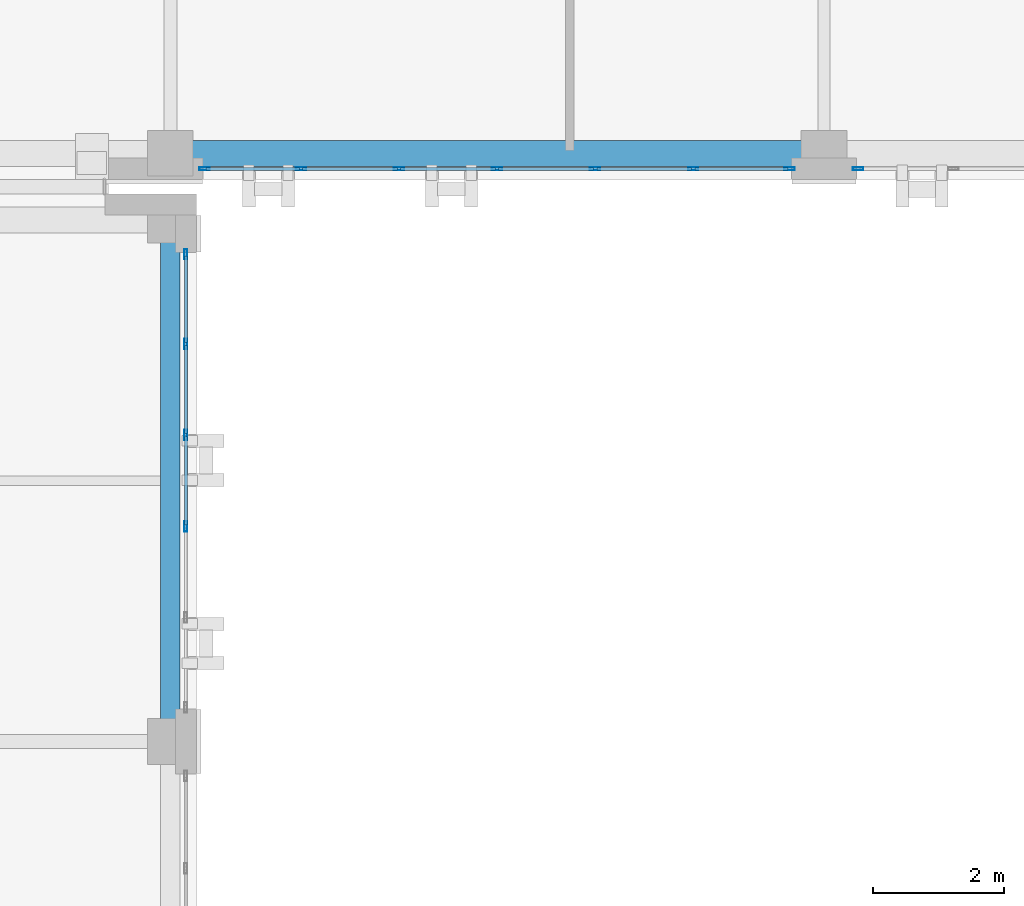
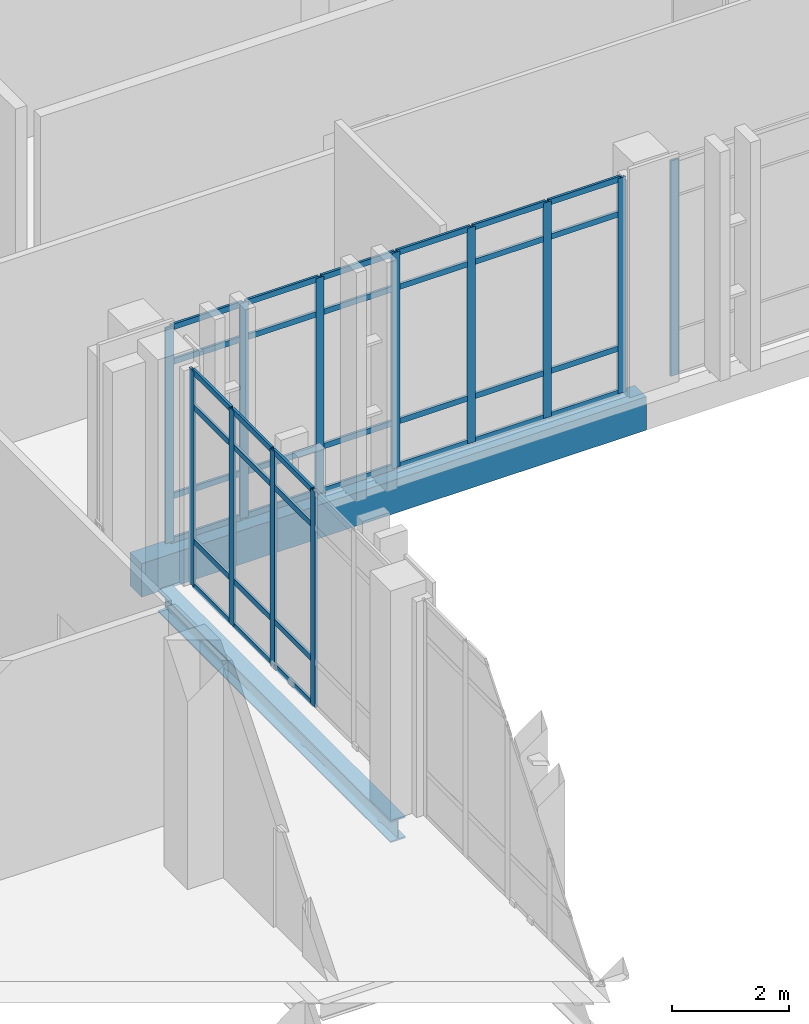
# One storey, part 81 of 189: 48 members, 2 beams, 3 elements without a shape of their own.
"""IFC4 building model written with IfcOpenShell, lengths in metres."""

from ifc_helpers import new_model, si_unit, direction, frame, origin, origin_2d, place, context, subcontext, project, spatial, rectangle, hollow_rectangle, i_section, extrude, material, layer, layer_set, material_profile, profile_set, type_object, element, aggregate, save


model = new_model("IFC4")

# Units and contexts
model_context = context("Model", 3, precision=1e-05, world=origin(), true_north=direction((0.0, 1.0)))
body_context = subcontext(model_context, "Body", "Model", "MODEL_VIEW")
ifc_project = project(units=[si_unit("LENGTHUNIT", "METRE"), si_unit("AREAUNIT", "SQUARE_METRE"), si_unit("VOLUMEUNIT", "CUBIC_METRE"), si_unit("PLANEANGLEUNIT", "RADIAN"), si_unit("MASSUNIT", "GRAM", prefix="KILO")], contexts=[model_context])

# Site, building, storey
site_placement = place(None, origin())
site = spatial("IfcSite", under=ifc_project, at=site_placement, CompositionType="ELEMENT")
building_placement = place(site_placement, origin())
building = spatial("IfcBuilding", under=site, at=building_placement, Name="Qalavern Law Courts", CompositionType="ELEMENT")
storey_placement = place(building_placement, frame((0.0, 0.0, 5.39990234375)))
storey = spatial("IfcBuildingStorey", under=building, at=storey_placement, Name="L01", CompositionType="ELEMENT", Elevation=5.39990234375)

# Curtain wall, members
ifc_material_1 = material(Name="Anodised aluminium and insulated glazing", Category="aluminium")
ifc_layer_1 = layer(ifc_material_1, 0.172119140625)
ifc_layer_set_1 = layer_set([ifc_layer_1], Name="Anodised aluminium and insulated glazing")
curtain_wall_type_1 = type_object("IfcCurtainWallType", Name="ENV-CW-COURT", PredefinedType="USERDEFINED", material=ifc_layer_set_1)
curtain_wall_1_placement = place(storey_placement, origin())
curtain_wall_1 = element("IfcCurtainWall", 1, at=curtain_wall_1_placement, inside=storey, type_object=curtain_wall_type_1, Name="V3 unitised curtain wall L01 east 7", ObjectType="UNITISED CURTAIN WALL", PredefinedType="USERDEFINED")
ifc_material_2 = material(Name="Anodised aluminium", Category="aluminium")
ifc_material_profile_1 = material_profile(ifc_material_2, hollow_rectangle(XDim=0.048095703125, YDim=0.159912109375, WallThickness=0.00390625, at=origin_2d()), Name="ALU MULLION 48x160")
ifc_profile_set_1 = profile_set([ifc_material_profile_1], Name="Anodised aluminium")
member_type_1 = type_object("IfcMemberType", Name="ENV-CWM-48x160", PredefinedType="MULLION", material=ifc_profile_set_1)
member_1_placement = place(storey_placement, frame((18.637451171875, 90.89208984375, 0.0), z_axis=(0.0, 0.0, 1.0), x_axis=(-1.0, 0.0, 0.0)))
member_1 = element("IfcMember", 2, at=member_1_placement, type_object=member_type_1, Name="CW-03 mullion 3", PredefinedType="MULLION", context=body_context, shape_type="SweptSolid", body=[
    extrude(hollow_rectangle(XDim=0.048095703125, YDim=0.159912109375, WallThickness=0.00390625, at=origin_2d()), origin(), (0.0, 0.0, 1.0), 4.510009765625),
])
member_2_placement = place(storey_placement, frame((18.637451171875, 92.2880859375, 0.0), z_axis=(0.0, 0.0, 1.0), x_axis=(-1.0, 0.0, 0.0)))
member_2 = element("IfcMember", 3, at=member_2_placement, type_object=member_type_1, Name="CW-03 mullion 4", PredefinedType="MULLION", context=body_context, shape_type="SweptSolid", body=[
    extrude(hollow_rectangle(XDim=0.048095703125, YDim=0.159912109375, WallThickness=0.00390625, at=origin_2d()), origin(), (0.0, 0.0, 1.0), 4.510009765625),
])
member_3_placement = place(storey_placement, frame((18.637451171875, 93.68408203125, 0.0), z_axis=(0.0, 0.0, 1.0), x_axis=(-1.0, 0.0, 0.0)))
member_3 = element("IfcMember", 4, at=member_3_placement, type_object=member_type_1, Name="CW-03 mullion 5", PredefinedType="MULLION", context=body_context, shape_type="SweptSolid", body=[
    extrude(hollow_rectangle(XDim=0.048095703125, YDim=0.159912109375, WallThickness=0.00390625, at=origin_2d()), origin(), (0.0, 0.0, 1.0), 4.510009765625),
])
member_4_placement = place(storey_placement, frame((18.637451171875, 95.055908203125, 0.0), z_axis=(0.0, 0.0, 1.0), x_axis=(-1.0, 0.0, 0.0)))
member_4 = element("IfcMember", 5, at=member_4_placement, type_object=member_type_1, Name="CW-03 mullion 6", PredefinedType="MULLION", context=body_context, shape_type="SweptSolid", body=[
    extrude(hollow_rectangle(XDim=0.048095703125, YDim=0.159912109375, WallThickness=0.00390625, at=origin_2d()), origin(), (0.0, 0.0, 1.0), 4.510009765625),
])

ifc_layer_2 = layer(ifc_material_1, 0.166015625)
ifc_layer_set_2 = layer_set([ifc_layer_2], Name="Anodised aluminium and insulated glazing")
curtain_wall_type_2 = type_object("IfcCurtainWallType", Name="ENV-CW-LIB", PredefinedType="USERDEFINED", material=ifc_layer_set_2)
curtain_wall_2_placement = place(storey_placement, origin())
curtain_wall_2 = element("IfcCurtainWall", 6, at=curtain_wall_2_placement, inside=storey, type_object=curtain_wall_type_2, Name="V5 unitised curtain wall L01 south 1", ObjectType="UNITISED CURTAIN WALL", PredefinedType="USERDEFINED")
member_5_placement = place(storey_placement, frame((18.924072265625, 96.362548828125, 0.0), z_axis=(0.0, 0.0, 1.0), x_axis=(0.0, 1.0, 0.0)))
member_5 = element("IfcMember", 7, at=member_5_placement, type_object=member_type_1, Name="CW-05 mullion 1", PredefinedType="MULLION", context=body_context, shape_type="SweptSolid", body=[
    extrude(hollow_rectangle(XDim=0.048095703125, YDim=0.159912109375, WallThickness=0.00390625, at=origin_2d()), origin(), (0.0, 0.0, 1.0), 4.510009765625),
])
member_6_placement = place(storey_placement, frame((20.39990234375, 96.362548828125, 0.0), z_axis=(0.0, 0.0, 1.0), x_axis=(0.0, 1.0, 0.0)))
member_6 = element("IfcMember", 8, at=member_6_placement, type_object=member_type_1, Name="CW-05 mullion 2", PredefinedType="MULLION", context=body_context, shape_type="SweptSolid", body=[
    extrude(hollow_rectangle(XDim=0.048095703125, YDim=0.159912109375, WallThickness=0.00390625, at=origin_2d()), origin(), (0.0, 0.0, 1.0), 4.510009765625),
])
member_7_placement = place(storey_placement, frame((21.89990234375, 96.362548828125, 0.0), z_axis=(0.0, 0.0, 1.0), x_axis=(0.0, 1.0, 0.0)))
member_7 = element("IfcMember", 9, at=member_7_placement, type_object=member_type_1, Name="CW-05 mullion 3", PredefinedType="MULLION", context=body_context, shape_type="SweptSolid", body=[
    extrude(hollow_rectangle(XDim=0.048095703125, YDim=0.159912109375, WallThickness=0.00390625, at=origin_2d()), origin(), (0.0, 0.0, 1.0), 4.510009765625),
])
member_8_placement = place(storey_placement, frame((23.39990234375, 96.362548828125, 0.0), z_axis=(0.0, 0.0, 1.0), x_axis=(0.0, 1.0, 0.0)))
member_8 = element("IfcMember", 10, at=member_8_placement, type_object=member_type_1, Name="CW-05 mullion 4", PredefinedType="MULLION", context=body_context, shape_type="SweptSolid", body=[
    extrude(hollow_rectangle(XDim=0.048095703125, YDim=0.159912109375, WallThickness=0.00390625, at=origin_2d()), origin(), (0.0, 0.0, 1.0), 4.510009765625),
])
member_9_placement = place(storey_placement, frame((24.89990234375, 96.362548828125, 0.0), z_axis=(0.0, 0.0, 1.0), x_axis=(0.0, 1.0, 0.0)))
member_9 = element("IfcMember", 11, at=member_9_placement, type_object=member_type_1, Name="CW-05 mullion 5", PredefinedType="MULLION", context=body_context, shape_type="SweptSolid", body=[
    extrude(hollow_rectangle(XDim=0.048095703125, YDim=0.159912109375, WallThickness=0.00390625, at=origin_2d()), origin(), (0.0, 0.0, 1.0), 4.510009765625),
])
member_10_placement = place(storey_placement, frame((26.39990234375, 96.362548828125, 0.0), z_axis=(0.0, 0.0, 1.0), x_axis=(0.0, 1.0, 0.0)))
member_10 = element("IfcMember", 12, at=member_10_placement, type_object=member_type_1, Name="CW-05 mullion 6", PredefinedType="MULLION", context=body_context, shape_type="SweptSolid", body=[
    extrude(hollow_rectangle(XDim=0.048095703125, YDim=0.159912109375, WallThickness=0.00390625, at=origin_2d()), origin(), (0.0, 0.0, 1.0), 4.510009765625),
])
member_11_placement = place(storey_placement, frame((27.8759765625, 96.362548828125, 0.0), z_axis=(0.0, 0.0, 1.0), x_axis=(0.0, 1.0, 0.0)))
member_11 = element("IfcMember", 13, at=member_11_placement, type_object=member_type_1, Name="CW-05 mullion 7", PredefinedType="MULLION", context=body_context, shape_type="SweptSolid", body=[
    extrude(hollow_rectangle(XDim=0.048095703125, YDim=0.159912109375, WallThickness=0.00390625, at=origin_2d()), origin(), (0.0, 0.0, 1.0), 4.510009765625),
])

# Curtain wall, member
curtain_wall_3_placement = place(storey_placement, origin())
curtain_wall_3 = element("IfcCurtainWall", 14, at=curtain_wall_3_placement, inside=storey, type_object=curtain_wall_type_2, Name="V5 unitised curtain wall L01 south 2", ObjectType="UNITISED CURTAIN WALL", PredefinedType="USERDEFINED")
member_12_placement = place(storey_placement, frame((28.924072265625, 96.362548828125, 0.0), z_axis=(0.0, 0.0, 1.0), x_axis=(0.0, 1.0, 0.0)))
member_12 = element("IfcMember", 15, at=member_12_placement, type_object=member_type_1, Name="CW-05 mullion 1", PredefinedType="MULLION", context=body_context, shape_type="SweptSolid", body=[
    extrude(hollow_rectangle(XDim=0.048095703125, YDim=0.159912109375, WallThickness=0.00390625, at=origin_2d()), origin(), (0.0, 0.0, 1.0), 4.510009765625),
])
aggregate(curtain_wall_3, [member_12])

# Member
ifc_material_profile_2 = material_profile(ifc_material_2, hollow_rectangle(XDim=0.048095703125, YDim=0.1201171875, WallThickness=0.00390625, at=origin_2d()), Name="ALU TRANSOM 48x120")
ifc_profile_set_2 = profile_set([ifc_material_profile_2], Name="Anodised aluminium")
member_type_2 = type_object("IfcMemberType", Name="ENV-CWT-48x120", PredefinedType="USERDEFINED", material=ifc_profile_set_2)
member_13_placement = place(storey_placement, frame((18.637451171875, 90.916015625, 0.024169921875), z_axis=(0.0, 1.0, 0.0), x_axis=(-1.0, 0.0, 0.0)))
member_13 = element("IfcMember", 16, at=member_13_placement, type_object=member_type_2, Name="CW-03 transom 3.1", ObjectType="TRANSOM", PredefinedType="USERDEFINED", context=body_context, shape_type="SweptSolid", body=[
    extrude(hollow_rectangle(XDim=0.048095703125, YDim=0.1201171875, WallThickness=0.00390625, at=origin_2d()), origin(), (0.0, 0.0, 1.0), 1.347900390625),
])

member_14_placement = place(storey_placement, frame((18.637451171875, 90.916015625, 0.9501953125), z_axis=(0.0, 1.0, 0.0), x_axis=(-1.0, 0.0, 0.0)))
member_14 = element("IfcMember", 17, at=member_14_placement, type_object=member_type_2, Name="CW-03 transom 3.2", ObjectType="TRANSOM", PredefinedType="USERDEFINED", context=body_context, shape_type="SweptSolid", body=[
    extrude(hollow_rectangle(XDim=0.048095703125, YDim=0.1201171875, WallThickness=0.00390625, at=origin_2d()), origin(), (0.0, 0.0, 1.0), 1.347900390625),
])

member_15_placement = place(storey_placement, frame((18.637451171875, 90.916015625, 3.760009765625), z_axis=(0.0, 1.0, 0.0), x_axis=(-1.0, 0.0, 0.0)))
member_15 = element("IfcMember", 18, at=member_15_placement, type_object=member_type_2, Name="CW-03 transom 3.3", ObjectType="TRANSOM", PredefinedType="USERDEFINED", context=body_context, shape_type="SweptSolid", body=[
    extrude(hollow_rectangle(XDim=0.048095703125, YDim=0.1201171875, WallThickness=0.00390625, at=origin_2d()), origin(), (0.0, 0.0, 1.0), 1.347900390625),
])

member_16_placement = place(storey_placement, frame((18.637451171875, 90.916015625, 4.486083984375), z_axis=(0.0, 1.0, 0.0), x_axis=(-1.0, 0.0, 0.0)))
member_16 = element("IfcMember", 19, at=member_16_placement, type_object=member_type_2, Name="CW-03 transom 3.4", ObjectType="TRANSOM", PredefinedType="USERDEFINED", context=body_context, shape_type="SweptSolid", body=[
    extrude(hollow_rectangle(XDim=0.048095703125, YDim=0.1201171875, WallThickness=0.00390625, at=origin_2d()), origin(), (0.0, 0.0, 1.0), 1.347900390625),
])

member_17_placement = place(storey_placement, frame((18.637451171875, 92.31201171875, 0.024169921875), z_axis=(0.0, 1.0, 0.0), x_axis=(-1.0, 0.0, 0.0)))
member_17 = element("IfcMember", 20, at=member_17_placement, type_object=member_type_2, Name="CW-03 transom 4.1", ObjectType="TRANSOM", PredefinedType="USERDEFINED", context=body_context, shape_type="SweptSolid", body=[
    extrude(hollow_rectangle(XDim=0.048095703125, YDim=0.1201171875, WallThickness=0.00390625, at=origin_2d()), origin(), (0.0, 0.0, 1.0), 1.347900390625),
])

member_18_placement = place(storey_placement, frame((18.637451171875, 92.31201171875, 0.9501953125), z_axis=(0.0, 1.0, 0.0), x_axis=(-1.0, 0.0, 0.0)))
member_18 = element("IfcMember", 21, at=member_18_placement, type_object=member_type_2, Name="CW-03 transom 4.2", ObjectType="TRANSOM", PredefinedType="USERDEFINED", context=body_context, shape_type="SweptSolid", body=[
    extrude(hollow_rectangle(XDim=0.048095703125, YDim=0.1201171875, WallThickness=0.00390625, at=origin_2d()), origin(), (0.0, 0.0, 1.0), 1.347900390625),
])

member_19_placement = place(storey_placement, frame((18.637451171875, 92.31201171875, 3.760009765625), z_axis=(0.0, 1.0, 0.0), x_axis=(-1.0, 0.0, 0.0)))
member_19 = element("IfcMember", 22, at=member_19_placement, type_object=member_type_2, Name="CW-03 transom 4.3", ObjectType="TRANSOM", PredefinedType="USERDEFINED", context=body_context, shape_type="SweptSolid", body=[
    extrude(hollow_rectangle(XDim=0.048095703125, YDim=0.1201171875, WallThickness=0.00390625, at=origin_2d()), origin(), (0.0, 0.0, 1.0), 1.347900390625),
])

member_20_placement = place(storey_placement, frame((18.637451171875, 92.31201171875, 4.486083984375), z_axis=(0.0, 1.0, 0.0), x_axis=(-1.0, 0.0, 0.0)))
member_20 = element("IfcMember", 23, at=member_20_placement, type_object=member_type_2, Name="CW-03 transom 4.4", ObjectType="TRANSOM", PredefinedType="USERDEFINED", context=body_context, shape_type="SweptSolid", body=[
    extrude(hollow_rectangle(XDim=0.048095703125, YDim=0.1201171875, WallThickness=0.00390625, at=origin_2d()), origin(), (0.0, 0.0, 1.0), 1.347900390625),
])

member_21_placement = place(storey_placement, frame((18.637451171875, 93.7080078125, 0.024169921875), z_axis=(0.0, 1.0, 0.0), x_axis=(-1.0, 0.0, 0.0)))
member_21 = element("IfcMember", 24, at=member_21_placement, type_object=member_type_2, Name="CW-03 transom 5.1", ObjectType="TRANSOM", PredefinedType="USERDEFINED", context=body_context, shape_type="SweptSolid", body=[
    extrude(hollow_rectangle(XDim=0.048095703125, YDim=0.1201171875, WallThickness=0.00390625, at=origin_2d()), origin(), (0.0, 0.0, 1.0), 1.323974609375),
])

member_22_placement = place(storey_placement, frame((18.637451171875, 93.7080078125, 0.9501953125), z_axis=(0.0, 1.0, 0.0), x_axis=(-1.0, 0.0, 0.0)))
member_22 = element("IfcMember", 25, at=member_22_placement, type_object=member_type_2, Name="CW-03 transom 5.2", ObjectType="TRANSOM", PredefinedType="USERDEFINED", context=body_context, shape_type="SweptSolid", body=[
    extrude(hollow_rectangle(XDim=0.048095703125, YDim=0.1201171875, WallThickness=0.00390625, at=origin_2d()), origin(), (0.0, 0.0, 1.0), 1.323974609375),
])

member_23_placement = place(storey_placement, frame((18.637451171875, 93.7080078125, 3.760009765625), z_axis=(0.0, 1.0, 0.0), x_axis=(-1.0, 0.0, 0.0)))
member_23 = element("IfcMember", 26, at=member_23_placement, type_object=member_type_2, Name="CW-03 transom 5.3", ObjectType="TRANSOM", PredefinedType="USERDEFINED", context=body_context, shape_type="SweptSolid", body=[
    extrude(hollow_rectangle(XDim=0.048095703125, YDim=0.1201171875, WallThickness=0.00390625, at=origin_2d()), origin(), (0.0, 0.0, 1.0), 1.323974609375),
])

member_24_placement = place(storey_placement, frame((18.637451171875, 93.7080078125, 4.486083984375), z_axis=(0.0, 1.0, 0.0), x_axis=(-1.0, 0.0, 0.0)))
member_24 = element("IfcMember", 27, at=member_24_placement, type_object=member_type_2, Name="CW-03 transom 5.4", ObjectType="TRANSOM", PredefinedType="USERDEFINED", context=body_context, shape_type="SweptSolid", body=[
    extrude(hollow_rectangle(XDim=0.048095703125, YDim=0.1201171875, WallThickness=0.00390625, at=origin_2d()), origin(), (0.0, 0.0, 1.0), 1.323974609375),
])

aggregate(curtain_wall_1, [member_1, member_2, member_3, member_4, member_13, member_14, member_15, member_16, member_17, member_18, member_19, member_20, member_21, member_22, member_23, member_24])

member_25_placement = place(storey_placement, frame((18.947998046875, 96.362548828125, 0.024169921875), z_axis=(1.0, 0.0, 0.0), x_axis=(0.0, 1.0, 0.0)))
member_25 = element("IfcMember", 28, at=member_25_placement, type_object=member_type_2, Name="CW-05 transom 1.1", ObjectType="TRANSOM", PredefinedType="USERDEFINED", context=body_context, shape_type="SweptSolid", body=[
    extrude(hollow_rectangle(XDim=0.048095703125, YDim=0.1201171875, WallThickness=0.00390625, at=origin_2d()), origin(), (0.0, 0.0, 1.0), 1.427978515625),
])

member_26_placement = place(storey_placement, frame((18.947998046875, 96.362548828125, 0.9501953125), z_axis=(1.0, 0.0, 0.0), x_axis=(0.0, 1.0, 0.0)))
member_26 = element("IfcMember", 29, at=member_26_placement, type_object=member_type_2, Name="CW-05 transom 1.2", ObjectType="TRANSOM", PredefinedType="USERDEFINED", context=body_context, shape_type="SweptSolid", body=[
    extrude(hollow_rectangle(XDim=0.048095703125, YDim=0.1201171875, WallThickness=0.00390625, at=origin_2d()), origin(), (0.0, 0.0, 1.0), 1.427978515625),
])

member_27_placement = place(storey_placement, frame((18.947998046875, 96.362548828125, 3.760009765625), z_axis=(1.0, 0.0, 0.0), x_axis=(0.0, 1.0, 0.0)))
member_27 = element("IfcMember", 30, at=member_27_placement, type_object=member_type_2, Name="CW-05 transom 1.3", ObjectType="TRANSOM", PredefinedType="USERDEFINED", context=body_context, shape_type="SweptSolid", body=[
    extrude(hollow_rectangle(XDim=0.048095703125, YDim=0.1201171875, WallThickness=0.00390625, at=origin_2d()), origin(), (0.0, 0.0, 1.0), 1.427978515625),
])

member_28_placement = place(storey_placement, frame((18.947998046875, 96.362548828125, 4.486083984375), z_axis=(1.0, 0.0, 0.0), x_axis=(0.0, 1.0, 0.0)))
member_28 = element("IfcMember", 31, at=member_28_placement, type_object=member_type_2, Name="CW-05 transom 1.4", ObjectType="TRANSOM", PredefinedType="USERDEFINED", context=body_context, shape_type="SweptSolid", body=[
    extrude(hollow_rectangle(XDim=0.048095703125, YDim=0.1201171875, WallThickness=0.00390625, at=origin_2d()), origin(), (0.0, 0.0, 1.0), 1.427978515625),
])

member_29_placement = place(storey_placement, frame((20.424072265625, 96.362548828125, 0.024169921875), z_axis=(1.0, 0.0, 0.0), x_axis=(0.0, 1.0, 0.0)))
member_29 = element("IfcMember", 32, at=member_29_placement, type_object=member_type_2, Name="CW-05 transom 2.1", ObjectType="TRANSOM", PredefinedType="USERDEFINED", context=body_context, shape_type="SweptSolid", body=[
    extrude(hollow_rectangle(XDim=0.048095703125, YDim=0.1201171875, WallThickness=0.00390625, at=origin_2d()), origin(), (0.0, 0.0, 1.0), 1.451904296875),
])

member_30_placement = place(storey_placement, frame((20.424072265625, 96.362548828125, 0.9501953125), z_axis=(1.0, 0.0, 0.0), x_axis=(0.0, 1.0, 0.0)))
member_30 = element("IfcMember", 33, at=member_30_placement, type_object=member_type_2, Name="CW-05 transom 2.2", ObjectType="TRANSOM", PredefinedType="USERDEFINED", context=body_context, shape_type="SweptSolid", body=[
    extrude(hollow_rectangle(XDim=0.048095703125, YDim=0.1201171875, WallThickness=0.00390625, at=origin_2d()), origin(), (0.0, 0.0, 1.0), 1.451904296875),
])

member_31_placement = place(storey_placement, frame((20.424072265625, 96.362548828125, 3.760009765625), z_axis=(1.0, 0.0, 0.0), x_axis=(0.0, 1.0, 0.0)))
member_31 = element("IfcMember", 34, at=member_31_placement, type_object=member_type_2, Name="CW-05 transom 2.3", ObjectType="TRANSOM", PredefinedType="USERDEFINED", context=body_context, shape_type="SweptSolid", body=[
    extrude(hollow_rectangle(XDim=0.048095703125, YDim=0.1201171875, WallThickness=0.00390625, at=origin_2d()), origin(), (0.0, 0.0, 1.0), 1.451904296875),
])

member_32_placement = place(storey_placement, frame((20.424072265625, 96.362548828125, 4.486083984375), z_axis=(1.0, 0.0, 0.0), x_axis=(0.0, 1.0, 0.0)))
member_32 = element("IfcMember", 35, at=member_32_placement, type_object=member_type_2, Name="CW-05 transom 2.4", ObjectType="TRANSOM", PredefinedType="USERDEFINED", context=body_context, shape_type="SweptSolid", body=[
    extrude(hollow_rectangle(XDim=0.048095703125, YDim=0.1201171875, WallThickness=0.00390625, at=origin_2d()), origin(), (0.0, 0.0, 1.0), 1.451904296875),
])

member_33_placement = place(storey_placement, frame((21.924072265625, 96.362548828125, 0.024169921875), z_axis=(1.0, 0.0, 0.0), x_axis=(0.0, 1.0, 0.0)))
member_33 = element("IfcMember", 36, at=member_33_placement, type_object=member_type_2, Name="CW-05 transom 3.1", ObjectType="TRANSOM", PredefinedType="USERDEFINED", context=body_context, shape_type="SweptSolid", body=[
    extrude(hollow_rectangle(XDim=0.048095703125, YDim=0.1201171875, WallThickness=0.00390625, at=origin_2d()), origin(), (0.0, 0.0, 1.0), 1.451904296875),
])

member_34_placement = place(storey_placement, frame((21.924072265625, 96.362548828125, 0.9501953125), z_axis=(1.0, 0.0, 0.0), x_axis=(0.0, 1.0, 0.0)))
member_34 = element("IfcMember", 37, at=member_34_placement, type_object=member_type_2, Name="CW-05 transom 3.2", ObjectType="TRANSOM", PredefinedType="USERDEFINED", context=body_context, shape_type="SweptSolid", body=[
    extrude(hollow_rectangle(XDim=0.048095703125, YDim=0.1201171875, WallThickness=0.00390625, at=origin_2d()), origin(), (0.0, 0.0, 1.0), 1.451904296875),
])

member_35_placement = place(storey_placement, frame((21.924072265625, 96.362548828125, 3.760009765625), z_axis=(1.0, 0.0, 0.0), x_axis=(0.0, 1.0, 0.0)))
member_35 = element("IfcMember", 38, at=member_35_placement, type_object=member_type_2, Name="CW-05 transom 3.3", ObjectType="TRANSOM", PredefinedType="USERDEFINED", context=body_context, shape_type="SweptSolid", body=[
    extrude(hollow_rectangle(XDim=0.048095703125, YDim=0.1201171875, WallThickness=0.00390625, at=origin_2d()), origin(), (0.0, 0.0, 1.0), 1.451904296875),
])

member_36_placement = place(storey_placement, frame((21.924072265625, 96.362548828125, 4.486083984375), z_axis=(1.0, 0.0, 0.0), x_axis=(0.0, 1.0, 0.0)))
member_36 = element("IfcMember", 39, at=member_36_placement, type_object=member_type_2, Name="CW-05 transom 3.4", ObjectType="TRANSOM", PredefinedType="USERDEFINED", context=body_context, shape_type="SweptSolid", body=[
    extrude(hollow_rectangle(XDim=0.048095703125, YDim=0.1201171875, WallThickness=0.00390625, at=origin_2d()), origin(), (0.0, 0.0, 1.0), 1.451904296875),
])

member_37_placement = place(storey_placement, frame((23.424072265625, 96.362548828125, 0.024169921875), z_axis=(1.0, 0.0, 0.0), x_axis=(0.0, 1.0, 0.0)))
member_37 = element("IfcMember", 40, at=member_37_placement, type_object=member_type_2, Name="CW-05 transom 4.1", ObjectType="TRANSOM", PredefinedType="USERDEFINED", context=body_context, shape_type="SweptSolid", body=[
    extrude(hollow_rectangle(XDim=0.048095703125, YDim=0.1201171875, WallThickness=0.00390625, at=origin_2d()), origin(), (0.0, 0.0, 1.0), 1.451904296875),
])

member_38_placement = place(storey_placement, frame((23.424072265625, 96.362548828125, 0.9501953125), z_axis=(1.0, 0.0, 0.0), x_axis=(0.0, 1.0, 0.0)))
member_38 = element("IfcMember", 41, at=member_38_placement, type_object=member_type_2, Name="CW-05 transom 4.2", ObjectType="TRANSOM", PredefinedType="USERDEFINED", context=body_context, shape_type="SweptSolid", body=[
    extrude(hollow_rectangle(XDim=0.048095703125, YDim=0.1201171875, WallThickness=0.00390625, at=origin_2d()), origin(), (0.0, 0.0, 1.0), 1.451904296875),
])

member_39_placement = place(storey_placement, frame((23.424072265625, 96.362548828125, 3.760009765625), z_axis=(1.0, 0.0, 0.0), x_axis=(0.0, 1.0, 0.0)))
member_39 = element("IfcMember", 42, at=member_39_placement, type_object=member_type_2, Name="CW-05 transom 4.3", ObjectType="TRANSOM", PredefinedType="USERDEFINED", context=body_context, shape_type="SweptSolid", body=[
    extrude(hollow_rectangle(XDim=0.048095703125, YDim=0.1201171875, WallThickness=0.00390625, at=origin_2d()), origin(), (0.0, 0.0, 1.0), 1.451904296875),
])

member_40_placement = place(storey_placement, frame((23.424072265625, 96.362548828125, 4.486083984375), z_axis=(1.0, 0.0, 0.0), x_axis=(0.0, 1.0, 0.0)))
member_40 = element("IfcMember", 43, at=member_40_placement, type_object=member_type_2, Name="CW-05 transom 4.4", ObjectType="TRANSOM", PredefinedType="USERDEFINED", context=body_context, shape_type="SweptSolid", body=[
    extrude(hollow_rectangle(XDim=0.048095703125, YDim=0.1201171875, WallThickness=0.00390625, at=origin_2d()), origin(), (0.0, 0.0, 1.0), 1.451904296875),
])

member_41_placement = place(storey_placement, frame((24.924072265625, 96.362548828125, 0.024169921875), z_axis=(1.0, 0.0, 0.0), x_axis=(0.0, 1.0, 0.0)))
member_41 = element("IfcMember", 44, at=member_41_placement, type_object=member_type_2, Name="CW-05 transom 5.1", ObjectType="TRANSOM", PredefinedType="USERDEFINED", context=body_context, shape_type="SweptSolid", body=[
    extrude(hollow_rectangle(XDim=0.048095703125, YDim=0.1201171875, WallThickness=0.00390625, at=origin_2d()), origin(), (0.0, 0.0, 1.0), 1.451904296875),
])

member_42_placement = place(storey_placement, frame((24.924072265625, 96.362548828125, 0.9501953125), z_axis=(1.0, 0.0, 0.0), x_axis=(0.0, 1.0, 0.0)))
member_42 = element("IfcMember", 45, at=member_42_placement, type_object=member_type_2, Name="CW-05 transom 5.2", ObjectType="TRANSOM", PredefinedType="USERDEFINED", context=body_context, shape_type="SweptSolid", body=[
    extrude(hollow_rectangle(XDim=0.048095703125, YDim=0.1201171875, WallThickness=0.00390625, at=origin_2d()), origin(), (0.0, 0.0, 1.0), 1.451904296875),
])

member_43_placement = place(storey_placement, frame((24.924072265625, 96.362548828125, 3.760009765625), z_axis=(1.0, 0.0, 0.0), x_axis=(0.0, 1.0, 0.0)))
member_43 = element("IfcMember", 46, at=member_43_placement, type_object=member_type_2, Name="CW-05 transom 5.3", ObjectType="TRANSOM", PredefinedType="USERDEFINED", context=body_context, shape_type="SweptSolid", body=[
    extrude(hollow_rectangle(XDim=0.048095703125, YDim=0.1201171875, WallThickness=0.00390625, at=origin_2d()), origin(), (0.0, 0.0, 1.0), 1.451904296875),
])

member_44_placement = place(storey_placement, frame((24.924072265625, 96.362548828125, 4.486083984375), z_axis=(1.0, 0.0, 0.0), x_axis=(0.0, 1.0, 0.0)))
member_44 = element("IfcMember", 47, at=member_44_placement, type_object=member_type_2, Name="CW-05 transom 5.4", ObjectType="TRANSOM", PredefinedType="USERDEFINED", context=body_context, shape_type="SweptSolid", body=[
    extrude(hollow_rectangle(XDim=0.048095703125, YDim=0.1201171875, WallThickness=0.00390625, at=origin_2d()), origin(), (0.0, 0.0, 1.0), 1.451904296875),
])

member_45_placement = place(storey_placement, frame((26.424072265625, 96.362548828125, 0.024169921875), z_axis=(1.0, 0.0, 0.0), x_axis=(0.0, 1.0, 0.0)))
member_45 = element("IfcMember", 48, at=member_45_placement, type_object=member_type_2, Name="CW-05 transom 6.1", ObjectType="TRANSOM", PredefinedType="USERDEFINED", context=body_context, shape_type="SweptSolid", body=[
    extrude(hollow_rectangle(XDim=0.048095703125, YDim=0.1201171875, WallThickness=0.00390625, at=origin_2d()), origin(), (0.0, 0.0, 1.0), 1.427978515625),
])

member_46_placement = place(storey_placement, frame((26.424072265625, 96.362548828125, 0.9501953125), z_axis=(1.0, 0.0, 0.0), x_axis=(0.0, 1.0, 0.0)))
member_46 = element("IfcMember", 49, at=member_46_placement, type_object=member_type_2, Name="CW-05 transom 6.2", ObjectType="TRANSOM", PredefinedType="USERDEFINED", context=body_context, shape_type="SweptSolid", body=[
    extrude(hollow_rectangle(XDim=0.048095703125, YDim=0.1201171875, WallThickness=0.00390625, at=origin_2d()), origin(), (0.0, 0.0, 1.0), 1.427978515625),
])

member_47_placement = place(storey_placement, frame((26.424072265625, 96.362548828125, 3.760009765625), z_axis=(1.0, 0.0, 0.0), x_axis=(0.0, 1.0, 0.0)))
member_47 = element("IfcMember", 50, at=member_47_placement, type_object=member_type_2, Name="CW-05 transom 6.3", ObjectType="TRANSOM", PredefinedType="USERDEFINED", context=body_context, shape_type="SweptSolid", body=[
    extrude(hollow_rectangle(XDim=0.048095703125, YDim=0.1201171875, WallThickness=0.00390625, at=origin_2d()), origin(), (0.0, 0.0, 1.0), 1.427978515625),
])

member_48_placement = place(storey_placement, frame((26.424072265625, 96.362548828125, 4.486083984375), z_axis=(1.0, 0.0, 0.0), x_axis=(0.0, 1.0, 0.0)))
member_48 = element("IfcMember", 51, at=member_48_placement, type_object=member_type_2, Name="CW-05 transom 6.4", ObjectType="TRANSOM", PredefinedType="USERDEFINED", context=body_context, shape_type="SweptSolid", body=[
    extrude(hollow_rectangle(XDim=0.048095703125, YDim=0.1201171875, WallThickness=0.00390625, at=origin_2d()), origin(), (0.0, 0.0, 1.0), 1.427978515625),
])

aggregate(curtain_wall_2, [member_5, member_6, member_7, member_8, member_9, member_10, member_11, member_25, member_26, member_27, member_28, member_29, member_30, member_31, member_32, member_33, member_34, member_35, member_36, member_37, member_38, member_39, member_40, member_41, member_42, member_43, member_44, member_45, member_46, member_47, member_48])

# Beams
ifc_material_3 = material(Name="Steel S355", Category="steel")
ifc_material_profile_3 = material_profile(ifc_material_3, i_section(OverallWidth=0.300048828125, OverallDepth=0.449951171875, WebThickness=0.013916015625, FlangeThickness=0.02587890625, FilletRadius=0.027099609375, at=origin_2d()), Name="HEB 450")
ifc_profile_set_3 = profile_set([ifc_material_profile_3], Name="Steel S355")
beam_type_1 = type_object("IfcBeamType", Name="STR-SP-HEB450", PredefinedType="SPANDREL", material=ifc_profile_set_3)
beam_1_placement = place(storey_placement, frame((18.39990234375, 87.60009765625, -0.52490234375), z_axis=(0.0, 1.0, 0.0), x_axis=(-1.0, 0.0, 0.0)))
element("IfcBeam", 52, at=beam_1_placement, inside=storey, type_object=beam_type_1, Name="V3 Y-beam 3-7 L01", PredefinedType="SPANDREL", context=body_context, shape_type="SweptSolid", body=[
    extrude(i_section(OverallWidth=0.300048828125, OverallDepth=0.449951171875, WebThickness=0.013916015625, FlangeThickness=0.02587890625, FilletRadius=0.027099609375, at=origin_2d()), origin(), (0.0, 0.0, 1.0), 7.97998046875),
])
ifc_material_4 = material(Name="Concrete C40/50", Category="concrete")
ifc_material_profile_4 = material_profile(ifc_material_4, rectangle(XDim=0.39990234375, YDim=0.699951171875, at=origin_2d()), Name="RC 400x700")
ifc_profile_set_4 = profile_set([ifc_material_profile_4], Name="Concrete C40/50")
beam_type_2 = type_object("IfcBeamType", Name="STR-SP-RC400x700", PredefinedType="SPANDREL", material=ifc_profile_set_4)
beam_2_placement = place(storey_placement, frame((18.39990234375, 96.60009765625, -0.64990234375), z_axis=(1.0, 0.0, 0.0), x_axis=(0.0, 1.0, 0.0)))
element("IfcBeam", 53, at=beam_2_placement, inside=storey, type_object=beam_type_2, Name="V5 X-beam 1-3 L01", PredefinedType="SPANDREL", context=body_context, shape_type="SweptSolid", body=[
    extrude(rectangle(XDim=0.39990234375, YDim=0.699951171875, at=origin_2d()), origin(), (0.0, 0.0, 1.0), 10.0),
])

save(model, "model.ifc")
